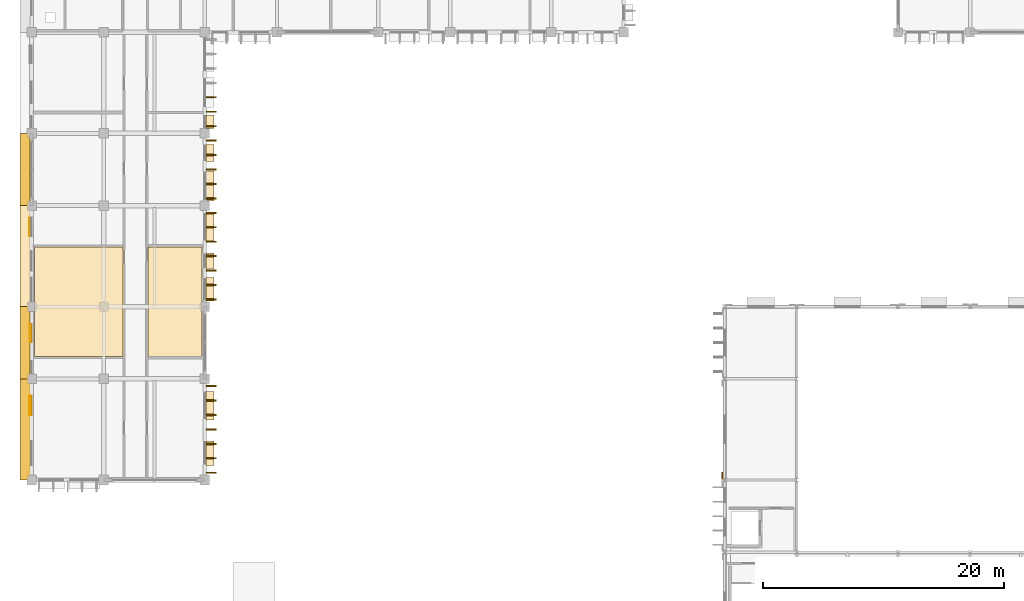
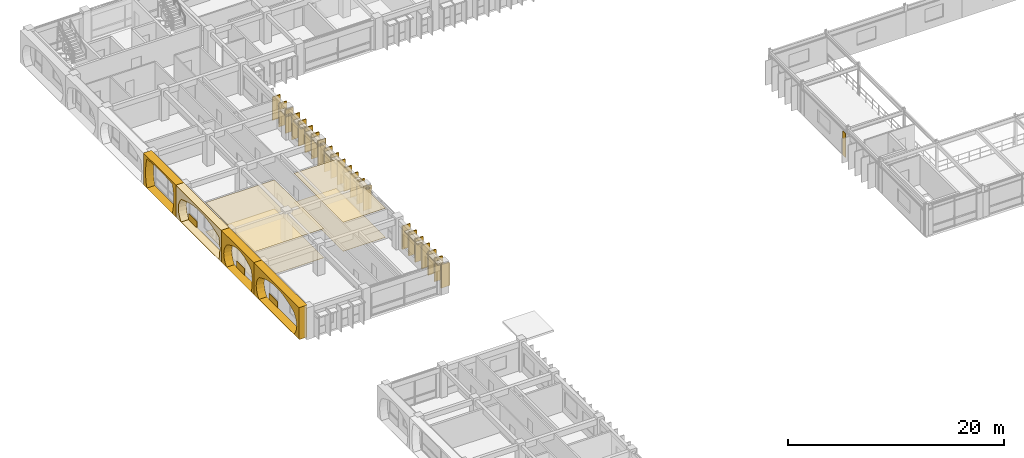
# One storey, part 77 of 88: 42 coverings.
"""IFC4 building model written with IfcOpenShell, lengths in metres."""

from ifc_helpers import new_model, si_unit, direction, frame, origin, origin_2d, place, context, subcontext, project, spatial, polyline, rectangle, outline, extrude, material, layer, layer_set, type_object, element, save


model = new_model("IFC4")

# Units and contexts
model_context = context("Model", 3, precision=1e-05, world=origin(), true_north=direction((0.0, 1.0)))
body_context = subcontext(model_context, "Body", "Model", "MODEL_VIEW")
ifc_project = project(units=[si_unit("LENGTHUNIT", "METRE"), si_unit("AREAUNIT", "SQUARE_METRE"), si_unit("VOLUMEUNIT", "CUBIC_METRE"), si_unit("PLANEANGLEUNIT", "RADIAN"), si_unit("MASSUNIT", "GRAM", prefix="KILO"), si_unit("THERMODYNAMICTEMPERATUREUNIT", "KELVIN")], contexts=[model_context])

# Site, building, storey
site_placement = place(None, origin())
site = spatial("IfcSite", under=ifc_project, at=site_placement, CompositionType="ELEMENT")
building_placement = place(site_placement, origin())
building = spatial("IfcBuilding", under=site, at=building_placement, Name="Thalorik Housing Commons", CompositionType="ELEMENT")
storey_placement = place(building_placement, frame((0.0, 0.0, 4.5)))
storey = spatial("IfcBuildingStorey", under=building, at=storey_placement, Name="L01", CompositionType="ELEMENT", Elevation=4.5)

# Coverings
ifc_material_1 = material(Name="Cobalt blue glazed ceramic facade tile panel", Category="masonry")
ifc_layer_1 = layer(ifc_material_1, 0.06005859375, Name="Cobalt blue glazed ceramic facade tile panel", Category="masonry")
ifc_layer_set_1 = layer_set([ifc_layer_1], Name="Cobalt blue glazed ceramic facade tile panel")
covering_type_1 = type_object("IfcCoveringType", Name="ARC-CLD-BLU-60", PredefinedType="CLADDING", material=ifc_layer_set_1)
covering_1_placement = place(storey_placement, frame((8.25244140625, 78.169921875, 0.0498046875), z_axis=(0.0, 0.0, 1.0), x_axis=(0.0, -1.0, 0.0)))
element("IfcCovering", 1, at=covering_1_placement, inside=storey, type_object=covering_type_1, Name="L01 De Stijl Recessed Window Spandrel 80", PredefinedType="CLADDING", context=body_context, shape_type="SweptSolid", body=[
    extrude(rectangle(XDim=1.6201171875, YDim=0.06005859375, at=origin_2d()), origin(), (0.0, 0.0, 1.0), 0.699951171875),
])
ifc_material_2 = material(Name="Precast concrete C40/50", Category="concrete")
ifc_layer_2 = layer(ifc_material_2, 0.85009765625, Name="Precast concrete C40/50", Category="concrete")
ifc_layer_set_2 = layer_set([ifc_layer_2], Name="Precast concrete C40/50")
covering_type_2 = type_object("IfcCoveringType", Name="ARC-CLD-CUSH-850", PredefinedType="CLADDING", material=ifc_layer_set_2)
covering_2_placement = place(storey_placement, frame((7.862548828125, 97.800048828125, 0.0), z_axis=(0.0, 0.0, 1.0), x_axis=(0.0, -1.0, 0.0)))
element("IfcCovering", 2, at=covering_2_placement, inside=storey, type_object=covering_type_2, Name="L01 White Precast Curved Cushion Bay Frame 74", PredefinedType="CLADDING", context=body_context, shape_type="SweptSolid", body=[
    extrude(outline(polyline([(-3.0, 0.0), (3.0, 0.0), (3.0, 3.60009765625), (-3.0, 3.60009765625), (-3.0, 0.0)]), holes=[polyline([(2.35009765625, 0.02490234375), (2.4873046875, 0.57421875), (2.569580078125, 1.123291015625), (2.596923828125, 1.672607421875), (2.569580078125, 2.2216796875), (2.4873046875, 2.770751953125), (2.35009765625, 3.320068359375), (1.958251953125, 3.362548828125), (1.566650390625, 3.39599609375), (1.175048828125, 3.423095703125), (0.783203125, 3.443359375), (0.3916015625, 3.455810546875), (0.0, 3.4599609375), (-0.3916015625, 3.455810546875), (-0.783203125, 3.443359375), (-1.175048828125, 3.423095703125), (-1.566650390625, 3.39599609375), (-1.958251953125, 3.362548828125), (-2.35009765625, 3.320068359375), (-2.4873046875, 2.770751953125), (-2.569580078125, 2.2216796875), (-2.596923828125, 1.672607421875), (-2.569580078125, 1.123291015625), (-2.4873046875, 0.57421875), (-2.35009765625, 0.02490234375), (2.35009765625, 0.02490234375)])]), frame((0.0, 0.425048828125, 0.0), z_axis=(0.0, -1.0, 0.0), x_axis=(1.0, 0.0, 0.0)), (0.0, 0.0, 1.0), 0.85009765625),
])
covering_3_placement = place(storey_placement, frame((7.862548828125, 90.60009765625, 0.0), z_axis=(0.0, 0.0, 1.0), x_axis=(0.0, -1.0, 0.0)))
element("IfcCovering", 3, at=covering_3_placement, inside=storey, type_object=covering_type_2, Name="L01 White Precast Curved Cushion Bay Frame 75", PredefinedType="CLADDING", context=body_context, shape_type="SweptSolid", body=[
    extrude(outline(polyline([(-4.199951171875, 0.0), (4.199951171875, 0.0), (4.199951171875, 3.60009765625), (-4.199951171875, 3.60009765625), (-4.199951171875, 0.0)]), holes=[polyline([(3.760009765625, 0.02490234375), (3.852783203125, 0.44921875), (3.90869140625, 0.873291015625), (3.92724609375, 1.297607421875), (3.90869140625, 1.7216796875), (3.852783203125, 2.145751953125), (3.760009765625, 2.570068359375), (3.1767578125, 2.804443359375), (2.59326171875, 2.98828125), (2.010009765625, 3.1376953125), (1.4267578125, 3.248291015625), (0.84326171875, 3.31689453125), (0.260009765625, 3.340087890625), (-0.3232421875, 3.31689453125), (-0.90673828125, 3.248291015625), (-1.489990234375, 3.1376953125), (-2.0732421875, 2.98828125), (-2.65673828125, 2.804443359375), (-3.239990234375, 2.570068359375), (-3.523193359375, 2.145751953125), (-3.693359375, 1.7216796875), (-3.75, 1.297607421875), (-3.693359375, 0.873291015625), (-3.523193359375, 0.44921875), (-3.239990234375, 0.02490234375), (3.760009765625, 0.02490234375)])]), frame((0.0, 0.425048828125, 0.0), z_axis=(0.0, -1.0, 0.0), x_axis=(1.0, 0.0, 0.0)), (0.0, 0.0, 1.0), 0.85009765625),
])
covering_4_placement = place(storey_placement, frame((7.862548828125, 83.39990234375, 0.0), z_axis=(0.0, 0.0, 1.0), x_axis=(0.0, -1.0, 0.0)))
element("IfcCovering", 4, at=covering_4_placement, inside=storey, type_object=covering_type_2, Name="L01 White Precast Curved Cushion Bay Frame 77", PredefinedType="CLADDING", context=body_context, shape_type="SweptSolid", body=[
    extrude(outline(polyline([(-3.0, 0.0), (3.0, 0.0), (3.0, 3.60009765625), (-3.0, 3.60009765625), (-3.0, 0.0)]), holes=[polyline([(2.5400390625, 0.02490234375), (2.63720703125, 0.4375), (2.6953125, 0.85009765625), (2.71484375, 1.262451171875), (2.6953125, 1.675048828125), (2.63720703125, 2.08740234375), (2.5400390625, 2.5), (2.158203125, 2.755615234375), (1.776611328125, 2.956298828125), (1.39501953125, 3.119140625), (1.01318359375, 3.239990234375), (0.631591796875, 3.314697265625), (0.25, 3.340087890625), (-0.131591796875, 3.314697265625), (-0.51318359375, 3.239990234375), (-0.89501953125, 3.119140625), (-1.276611328125, 2.956298828125), (-1.658203125, 2.755615234375), (-2.0400390625, 2.5), (-2.3232421875, 2.08740234375), (-2.493408203125, 1.675048828125), (-2.550048828125, 1.262451171875), (-2.493408203125, 0.85009765625), (-2.3232421875, 0.4375), (-2.0400390625, 0.02490234375), (2.5400390625, 0.02490234375)])]), frame((0.0, 0.425048828125, 0.0), z_axis=(0.0, -1.0, 0.0), x_axis=(1.0, 0.0, 0.0)), (0.0, 0.0, 1.0), 0.85009765625),
])
covering_5_placement = place(storey_placement, frame((7.862548828125, 76.199951171875, 0.0), z_axis=(0.0, 0.0, 1.0), x_axis=(0.0, -1.0, 0.0)))
element("IfcCovering", 5, at=covering_5_placement, inside=storey, type_object=covering_type_2, Name="L01 White Precast Curved Cushion Bay Frame 79", PredefinedType="CLADDING", context=body_context, shape_type="SweptSolid", body=[
    extrude(outline(polyline([(-4.199951171875, 0.0), (4.199951171875, 0.0), (4.199951171875, 3.60009765625), (-4.199951171875, 3.60009765625), (-4.199951171875, 0.0)]), holes=[polyline([(3.239990234375, 0.02490234375), (3.523193359375, 0.4375), (3.693359375, 0.85009765625), (3.75, 1.262451171875), (3.693359375, 1.675048828125), (3.523193359375, 2.08740234375), (3.239990234375, 2.5), (2.699951171875, 2.755615234375), (2.159912109375, 2.956298828125), (1.6201171875, 3.119140625), (1.080078125, 3.239990234375), (0.5400390625, 3.314697265625), (0.0, 3.340087890625), (-0.5400390625, 3.314697265625), (-1.080078125, 3.239990234375), (-1.6201171875, 3.119140625), (-2.159912109375, 2.956298828125), (-2.699951171875, 2.755615234375), (-3.239990234375, 2.5), (-3.523193359375, 2.08740234375), (-3.693359375, 1.675048828125), (-3.75, 1.262451171875), (-3.693359375, 0.85009765625), (-3.523193359375, 0.4375), (-3.239990234375, 0.02490234375), (3.239990234375, 0.02490234375)])]), frame((0.0, 0.425048828125, 0.0), z_axis=(0.0, -1.0, 0.0), x_axis=(1.0, 0.0, 0.0)), (0.0, 0.0, 1.0), 0.85009765625),
])
ifc_layer_3 = layer(ifc_material_2, 0.85009765625, Name="Precast concrete C40/50", Category="concrete")
ifc_layer_set_3 = layer_set([ifc_layer_3], Name="Precast concrete C40/50")
covering_type_3 = type_object("IfcCoveringType", Name="ARC-CLD-FIN-850", PredefinedType="CLADDING", material=ifc_layer_set_3)
for number, where, z_axis, x_axis, name in (
    (6, (23.33740234375, 72.60009765625, 0.0400390625), (0.0, 0.0, 1.0), (0.0, 1.0, 0.0), "L01 Courtyard Precast Vertical Brise-Soleil Fin 88"),
    (7, (23.33740234375, 73.800048828125, 0.0400390625), (0.0, 0.0, 1.0), (0.0, 1.0, 0.0), "L01 Courtyard Precast Vertical Brise-Soleil Fin 89"),
    (8, (23.33740234375, 75.0, 0.0400390625), (0.0, 0.0, 1.0), (0.0, 1.0, 0.0), "L01 Courtyard Precast Vertical Brise-Soleil Fin 90"),
    (9, (23.33740234375, 76.199951171875, 0.0400390625), (0.0, 0.0, 1.0), (0.0, 1.0, 0.0), "L01 Courtyard Precast Vertical Brise-Soleil Fin 91"),
    (10, (23.33740234375, 77.39990234375, 0.0400390625), (0.0, 0.0, 1.0), (0.0, 1.0, 0.0), "L01 Courtyard Precast Vertical Brise-Soleil Fin 92"),
    (11, (23.33740234375, 78.60009765625, 0.0400390625), (0.0, 0.0, 1.0), (0.0, 1.0, 0.0), "L01 Courtyard Precast Vertical Brise-Soleil Fin 93"),
    (12, (23.33740234375, 79.800048828125, 0.0400390625), (0.0, 0.0, 1.0), (0.0, 1.0, 0.0), "L01 Courtyard Precast Vertical Brise-Soleil Fin 94"),
    (13, (23.33740234375, 87.0, 0.0400390625), (0.0, 0.0, 1.0), (0.0, 1.0, 0.0), "L01 Courtyard Precast Vertical Brise-Soleil Fin 97"),
    (14, (23.33740234375, 88.199951171875, 0.0400390625), (0.0, 0.0, 1.0), (0.0, 1.0, 0.0), "L01 Courtyard Precast Vertical Brise-Soleil Fin 98"),
    (15, (23.33740234375, 89.39990234375, 0.0400390625), (0.0, 0.0, 1.0), (0.0, 1.0, 0.0), "L01 Courtyard Precast Vertical Brise-Soleil Fin 99"),
    (16, (23.33740234375, 90.60009765625, 0.0400390625), (0.0, 0.0, 1.0), (0.0, 1.0, 0.0), "L01 Courtyard Precast Vertical Brise-Soleil Fin 100"),
    (17, (23.33740234375, 91.800048828125, 0.0400390625), (0.0, 0.0, 1.0), (0.0, 1.0, 0.0), "L01 Courtyard Precast Vertical Brise-Soleil Fin 101"),
    (18, (23.33740234375, 93.0, 0.0400390625), (0.0, 0.0, 1.0), (0.0, 1.0, 0.0), "L01 Courtyard Precast Vertical Brise-Soleil Fin 102"),
    (19, (23.33740234375, 94.199951171875, 0.0400390625), (0.0, 0.0, 1.0), (0.0, 1.0, 0.0), "L01 Courtyard Precast Vertical Brise-Soleil Fin 103"),
):
    element("IfcCovering", number, at=place(storey_placement, frame(where, z_axis=z_axis, x_axis=x_axis)), inside=storey, type_object=covering_type_3, Name=name, PredefinedType="CLADDING", context=body_context, shape_type="SweptSolid", body=[
        extrude(rectangle(XDim=0.110107421875, YDim=0.85009765625, at=origin_2d()), origin(), (0.0, 0.0, 1.0), 2.64501953125),
    ])
for number, where, z_axis, x_axis, name in (
    (20, (23.33740234375, 95.39990234375, 0.0400390625), (0.0, 0.0, 1.0), (0.0, 1.0, 0.0), "L01 Courtyard Precast Vertical Brise-Soleil Fin 107"),
    (21, (23.33740234375, 96.60009765625, 0.0400390625), (0.0, 0.0, 1.0), (0.0, 1.0, 0.0), "L01 Courtyard Precast Vertical Brise-Soleil Fin 108"),
    (22, (23.33740234375, 97.800048828125, 0.0400390625), (0.0, 0.0, 1.0), (0.0, 1.0, 0.0), "L01 Courtyard Precast Vertical Brise-Soleil Fin 109"),
    (23, (23.33740234375, 99.0, 0.0400390625), (0.0, 0.0, 1.0), (0.0, 1.0, 0.0), "L01 Courtyard Precast Vertical Brise-Soleil Fin 110"),
    (24, (23.33740234375, 100.199951171875, 0.0400390625), (0.0, 0.0, 1.0), (0.0, 1.0, 0.0), "L01 Courtyard Precast Vertical Brise-Soleil Fin 111"),
):
    element("IfcCovering", number, at=place(storey_placement, frame(where, z_axis=z_axis, x_axis=x_axis)), inside=storey, type_object=covering_type_3, Name=name, PredefinedType="CLADDING", context=body_context, shape_type="SweptSolid", body=[
        extrude(rectangle(XDim=0.110107421875, YDim=0.85009765625, at=origin_2d()), origin(), (0.0, 0.0, 1.0), 2.794921875),
    ])
for number, where, z_axis, x_axis, name in (
    (25, (23.33740234375, 101.39990234375, 0.0400390625), (0.0, 0.0, 1.0), (0.0, 1.0, 0.0), "L01 Courtyard Precast Vertical Brise-Soleil Fin 114"),
    (26, (23.33740234375, 102.60009765625, 0.0400390625), (0.0, 0.0, 1.0), (0.0, 1.0, 0.0), "L01 Courtyard Precast Vertical Brise-Soleil Fin 115"),
    (27, (23.33740234375, 103.800048828125, 0.0400390625), (0.0, 0.0, 1.0), (0.0, 1.0, 0.0), "L01 Courtyard Precast Vertical Brise-Soleil Fin 116"),
):
    element("IfcCovering", number, at=place(storey_placement, frame(where, z_axis=z_axis, x_axis=x_axis)), inside=storey, type_object=covering_type_3, Name=name, PredefinedType="CLADDING", context=body_context, shape_type="SweptSolid", body=[
        extrude(rectangle(XDim=0.110107421875, YDim=0.85009765625, at=origin_2d()), origin(), (0.0, 0.0, 1.0), 2.64501953125),
    ])
ifc_layer_4 = layer(ifc_material_2, 0.64990234375, Name="Precast concrete C40/50", Category="concrete")
ifc_layer_set_4 = layer_set([ifc_layer_4], Name="Precast concrete C40/50")
covering_type_4 = type_object("IfcCoveringType", Name="ARC-CLD-HOOD-650", PredefinedType="CLADDING", material=ifc_layer_set_4)
covering_6_placement = place(storey_placement, frame((23.237548828125, 74.22998046875, 2.2099609375), z_axis=(0.0, 0.0, 1.0), x_axis=(0.0, 1.0, 0.0)))
element("IfcCovering", 28, at=covering_6_placement, inside=storey, type_object=covering_type_4, Name="L01 Courtyard Precast Window Sun-Hood 95", PredefinedType="CLADDING", context=body_context, shape_type="SweptSolid", body=[
    extrude(rectangle(XDim=2.02001953125, YDim=0.64990234375, at=origin_2d()), origin(), (0.0, 0.0, 1.0), 0.139892578125),
])
covering_7_placement = place(storey_placement, frame((23.237548828125, 78.169921875, 2.22998046875), z_axis=(0.0, 0.0, 1.0), x_axis=(0.0, 1.0, 0.0)))
element("IfcCovering", 29, at=covering_7_placement, inside=storey, type_object=covering_type_4, Name="L01 Courtyard Precast Window Sun-Hood 96", PredefinedType="CLADDING", context=body_context, shape_type="SweptSolid", body=[
    extrude(rectangle(XDim=2.360107421875, YDim=0.64990234375, at=origin_2d()), origin(), (0.0, 0.0, 1.0), 0.139892578125),
])
covering_8_placement = place(storey_placement, frame((23.237548828125, 87.840087890625, 2.39013671875), z_axis=(0.0, 0.0, 1.0), x_axis=(0.0, 1.0, 0.0)))
element("IfcCovering", 30, at=covering_8_placement, inside=storey, type_object=covering_type_4, Name="L01 Courtyard Precast Window Sun-Hood 104", PredefinedType="CLADDING", context=body_context, shape_type="SweptSolid", body=[
    extrude(rectangle(XDim=1.93994140625, YDim=0.64990234375, at=origin_2d()), origin(), (0.0, 0.0, 1.0), 0.139892578125),
])
covering_9_placement = place(storey_placement, frame((23.237548828125, 90.199951171875, 1.990234375), z_axis=(0.0, 0.0, 1.0), x_axis=(0.0, 1.0, 0.0)))
element("IfcCovering", 31, at=covering_9_placement, inside=storey, type_object=covering_type_4, Name="L01 Courtyard Precast Window Sun-Hood 105", PredefinedType="CLADDING", context=body_context, shape_type="SweptSolid", body=[
    extrude(rectangle(XDim=1.2900390625, YDim=0.64990234375, at=origin_2d()), origin(), (0.0, 0.0, 1.0), 0.139892578125),
])
covering_10_placement = place(storey_placement, frame((23.237548828125, 93.030029296875, 2.22998046875), z_axis=(0.0, 0.0, 1.0), x_axis=(0.0, 1.0, 0.0)))
element("IfcCovering", 32, at=covering_10_placement, inside=storey, type_object=covering_type_4, Name="L01 Courtyard Precast Window Sun-Hood 106", PredefinedType="CLADDING", context=body_context, shape_type="SweptSolid", body=[
    extrude(rectangle(XDim=2.360107421875, YDim=0.64990234375, at=origin_2d()), origin(), (0.0, 0.0, 1.0), 0.139892578125),
])
covering_11_placement = place(storey_placement, frame((23.237548828125, 96.429931640625, 2.31005859375), z_axis=(0.0, 0.0, 1.0), x_axis=(0.0, 1.0, 0.0)))
element("IfcCovering", 33, at=covering_11_placement, inside=storey, type_object=covering_type_4, Name="L01 Courtyard Precast Window Sun-Hood 112", PredefinedType="CLADDING", context=body_context, shape_type="SweptSolid", body=[
    extrude(rectangle(XDim=2.47998046875, YDim=0.64990234375, at=origin_2d()), origin(), (0.0, 0.0, 1.0), 0.139892578125),
])
covering_12_placement = place(storey_placement, frame((23.237548828125, 99.169921875, 2.2900390625), z_axis=(0.0, 0.0, 1.0), x_axis=(0.0, 1.0, 0.0)))
element("IfcCovering", 34, at=covering_12_placement, inside=storey, type_object=covering_type_4, Name="L01 Courtyard Precast Window Sun-Hood 113", PredefinedType="CLADDING", context=body_context, shape_type="SweptSolid", body=[
    extrude(rectangle(XDim=1.43994140625, YDim=0.64990234375, at=origin_2d()), origin(), (0.0, 0.0, 1.0), 0.139892578125),
])
covering_13_placement = place(storey_placement, frame((23.237548828125, 101.764892578125, 1.990234375), z_axis=(0.0, 0.0, 1.0), x_axis=(0.0, 1.0, 0.0)))
element("IfcCovering", 35, at=covering_13_placement, inside=storey, type_object=covering_type_4, Name="L01 Courtyard Precast Window Sun-Hood 121", PredefinedType="CLADDING", context=body_context, shape_type="SweptSolid", body=[
    extrude(rectangle(XDim=1.139892578125, YDim=0.64990234375, at=origin_2d()), origin(), (0.0, 0.0, 1.0), 0.139892578125),
])
ifc_layer_5 = layer(ifc_material_2, 0.074951171875, Name="Precast concrete C40/50", Category="concrete")
ifc_layer_set_5 = layer_set([ifc_layer_5], Name="Precast concrete C40/50")
covering_type_5 = type_object("IfcCoveringType", Name="ARC-CLD-PIER-75", PredefinedType="CLADDING", material=ifc_layer_set_5)
covering_14_placement = place(storey_placement, frame((65.810546875, 72.35009765625, 0.050048828125), z_axis=(0.0, 0.0, 1.0), x_axis=(0.0, -1.0, 0.0)))
element("IfcCovering", 36, at=covering_14_placement, inside=storey, type_object=covering_type_5, Name="L01 Architectural Facade Cladding 5188", PredefinedType="CLADDING", context=body_context, shape_type="SweptSolid", body=[
    extrude(rectangle(XDim=0.550048828125, YDim=0.074951171875, at=origin_2d()), origin(), (0.0, 0.0, 1.0), 2.68994140625),
])
ifc_material_3 = material(Name="Terracotta red mineral fibre-cement panel", Category="masonry")
ifc_layer_6 = layer(ifc_material_3, 0.054931640625, Name="Terracotta red mineral fibre-cement panel", Category="masonry")
ifc_layer_set_6 = layer_set([ifc_layer_6], Name="Terracotta red mineral fibre-cement panel")
covering_type_6 = type_object("IfcCoveringType", Name="ARC-CLD-RED-55", PredefinedType="CLADDING", material=ifc_layer_set_6)
covering_15_placement = place(storey_placement, frame((8.2548828125, 84.195068359375, 0.0498046875), z_axis=(0.0, 0.0, 1.0), x_axis=(0.0, -1.0, 0.0)))
element("IfcCovering", 37, at=covering_15_placement, inside=storey, type_object=covering_type_6, Name="L01 De Stijl Recessed Window Spandrel 78", PredefinedType="CLADDING", context=body_context, shape_type="SweptSolid", body=[
    extrude(rectangle(XDim=1.52001953125, YDim=0.054931640625, at=origin_2d()), origin(), (0.0, 0.0, 1.0), 0.699951171875),
])
ifc_material_4 = material(Name="Mineral ochre architectural terracotta panel", Category="masonry")
ifc_layer_7 = layer(ifc_material_4, 0.06494140625, Name="Mineral ochre architectural terracotta panel", Category="masonry")
ifc_layer_set_7 = layer_set([ifc_layer_7], Name="Mineral ochre architectural terracotta panel")
covering_type_7 = type_object("IfcCoveringType", Name="ARC-CLD-YEL-65", PredefinedType="CLADDING", material=ifc_layer_set_7)
covering_16_placement = place(storey_placement, frame((8.25, 93.030029296875, 0.0498046875), z_axis=(0.0, 0.0, 1.0), x_axis=(0.0, -1.0, 0.0)))
element("IfcCovering", 38, at=covering_16_placement, inside=storey, type_object=covering_type_7, Name="L01 De Stijl Recessed Window Spandrel 76", PredefinedType="CLADDING", context=body_context, shape_type="SweptSolid", body=[
    extrude(rectangle(XDim=1.52001953125, YDim=0.06494140625, at=origin_2d()), origin(), (0.0, 0.0, 1.0), 0.699951171875),
])
ifc_material_5 = material(Name="Fire-rated calcium silicate corridor ceiling")
ifc_layer_8 = layer(ifc_material_5, 0.030029296875, Name="Fire-rated calcium silicate corridor ceiling")
ifc_layer_set_8 = layer_set([ifc_layer_8], Name="Fire-rated calcium silicate corridor ceiling")
covering_type_8 = type_object("IfcCoveringType", Name="ARC-COV-CEIL-05", PredefinedType="CEILING", material=ifc_layer_set_8)
covering_17_placement = place(storey_placement, frame((0.0, 0.0, 3.27001953125)))
element("IfcCovering", 39, at=covering_17_placement, inside=storey, type_object=covering_type_8, Name="L01 Shared Sewing Workshop Suspended Ceiling", PredefinedType="CEILING", context=body_context, shape_type="SweptSolid", body=[
    extrude(outline(polyline([(16.0, 91.3701171875), (8.639892578125, 91.3701171875), (8.639892578125, 82.260009765625), (16.0, 82.260009765625), (16.0, 91.3701171875)])), origin(), (0.0, 0.0, 1.0), 0.030029296875),
])
ifc_material_6 = material(Name="Acoustic wood-wool nursery ceiling panel", Category="wood")
ifc_layer_9 = layer(ifc_material_6, 0.035888671875, Name="Acoustic wood-wool nursery ceiling panel", Category="wood")
ifc_layer_set_9 = layer_set([ifc_layer_9], Name="Acoustic wood-wool nursery ceiling panel")
covering_type_9 = type_object("IfcCoveringType", Name="ARC-COV-CEIL-06", PredefinedType="CEILING", material=ifc_layer_set_9)
covering_18_placement = place(storey_placement, frame((0.0, 0.0, 3.263916015625)))
element("IfcCovering", 40, at=covering_18_placement, inside=storey, type_object=covering_type_9, Name="L01 Ceramics and Print Workshop Suspended Ceiling", PredefinedType="CEILING", context=body_context, shape_type="SweptSolid", body=[
    extrude(outline(polyline([(22.56005859375, 91.3701171875), (18.06005859375, 91.3701171875), (18.06005859375, 82.260009765625), (22.56005859375, 82.260009765625), (22.56005859375, 91.3701171875)])), origin(), (0.0, 0.0, 1.0), 0.0361328125),
])
ifc_material_7 = material(Name="Heavy-duty porcelain metro vestibule tile")
ifc_layer_10 = layer(ifc_material_7, 0.028076171875, Name="Heavy-duty porcelain metro vestibule tile")
ifc_layer_set_10 = layer_set([ifc_layer_10], Name="Heavy-duty porcelain metro vestibule tile")
covering_type_10 = type_object("IfcCoveringType", Name="ARC-COV-FLR-05", PredefinedType="FLOORING", material=ifc_layer_set_10)
covering_19_placement = place(storey_placement, origin())
element("IfcCovering", 41, at=covering_19_placement, inside=storey, type_object=covering_type_10, Name="L01 Shared Sewing Workshop Flooring", PredefinedType="FLOORING", context=body_context, shape_type="SweptSolid", body=[
    extrude(outline(polyline([(16.0, 91.3701171875), (8.639892578125, 91.3701171875), (8.639892578125, 82.260009765625), (16.0, 82.260009765625), (16.0, 91.3701171875)])), origin(), (0.0, 0.0, 1.0), 0.028076171875),
])
ifc_material_8 = material(Name="Epoxy-sealed concrete plant and bicycle hub finish", Category="concrete")
ifc_layer_11 = layer(ifc_material_8, 0.031982421875, Name="Epoxy-sealed concrete plant and bicycle hub finish", Category="concrete")
ifc_layer_set_11 = layer_set([ifc_layer_11], Name="Epoxy-sealed concrete plant and bicycle hub finish")
covering_type_11 = type_object("IfcCoveringType", Name="ARC-COV-FLR-06", PredefinedType="FLOORING", material=ifc_layer_set_11)
covering_20_placement = place(storey_placement, origin())
element("IfcCovering", 42, at=covering_20_placement, inside=storey, type_object=covering_type_11, Name="L01 Ceramics and Print Workshop Flooring", PredefinedType="FLOORING", context=body_context, shape_type="SweptSolid", body=[
    extrude(outline(polyline([(22.56005859375, 91.3701171875), (18.06005859375, 91.3701171875), (18.06005859375, 82.260009765625), (22.56005859375, 82.260009765625), (22.56005859375, 91.3701171875)])), origin(), (0.0, 0.0, 1.0), 0.031982421875),
])

save(model, "model.ifc")
